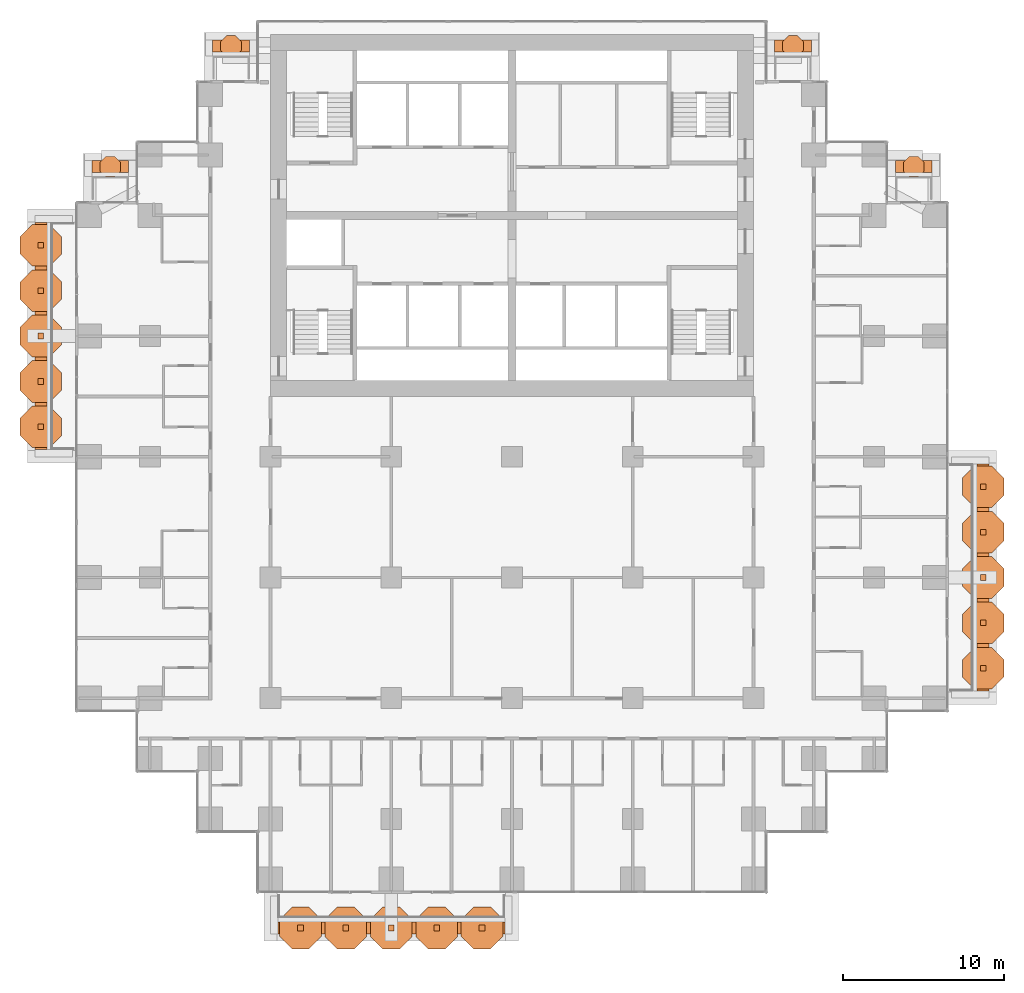
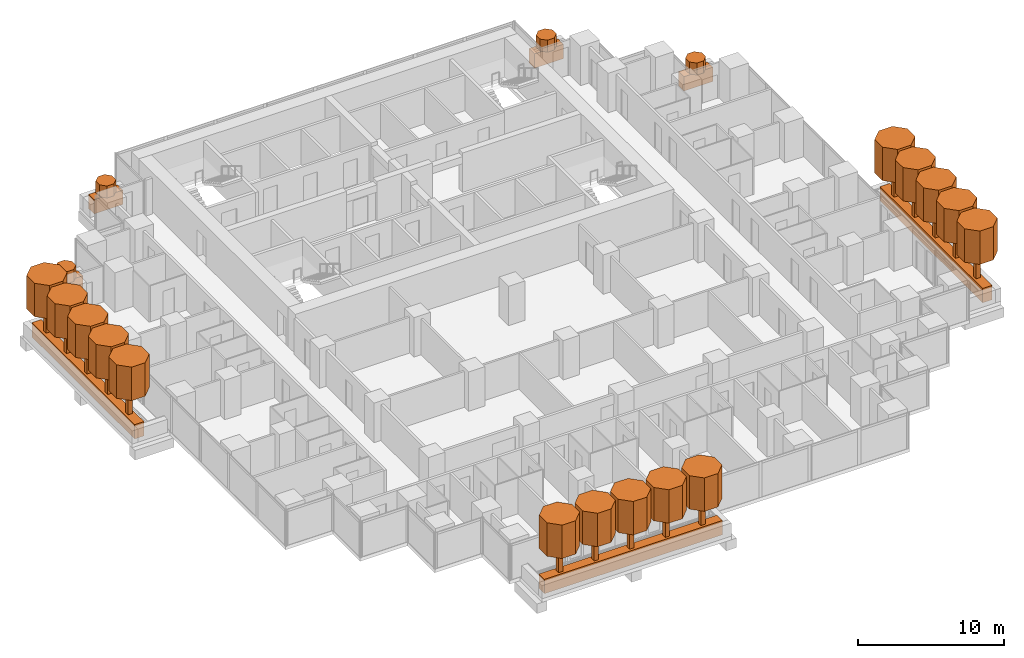
# One storey, part 19 of 19: 41 geographic elements.
"""IFC4 building model written with IfcOpenShell, lengths in metres."""

from ifc_helpers import new_model, si_unit, direction, frame, origin, origin_2d, place, context, subcontext, project, spatial, polyline, rectangle, outline, extrude, material, material_profile, profile_set, type_object, element, save


model = new_model("IFC4")

# Units and contexts
model_context = context("Model", 3, precision=1e-05, world=origin(), true_north=direction((0.0, 1.0)))
body_context = subcontext(model_context, "Body", "Model", "MODEL_VIEW")
ifc_project = project(units=[si_unit("LENGTHUNIT", "METRE"), si_unit("AREAUNIT", "SQUARE_METRE"), si_unit("VOLUMEUNIT", "CUBIC_METRE"), si_unit("PLANEANGLEUNIT", "RADIAN"), si_unit("MASSUNIT", "GRAM", prefix="KILO")], contexts=[model_context])

# Site, building, storey
site_placement = place(None, origin())
site = spatial("IfcSite", under=ifc_project, at=site_placement, CompositionType="ELEMENT")
building_placement = place(site_placement, origin())
building = spatial("IfcBuilding", under=site, at=building_placement, Name="Pilkhan Gate Tower", CompositionType="ELEMENT")
storey_placement = place(building_placement, frame((0.0, 0.0, 95.60009765625)))
storey = spatial("IfcBuildingStorey", under=building, at=storey_placement, Name="L23", CompositionType="ELEMENT", Elevation=95.60009765625)

# Geographic elements
ifc_material_1 = material(Name="Foliage")
ifc_material_profile_1 = material_profile(ifc_material_1, rectangle(XDim=0.75, YDim=1.199951171875, at=origin_2d()), Name="Bed 750x1200")
ifc_profile_set_1 = profile_set([ifc_material_profile_1], Name="Foliage")
geographic_element_type_1 = type_object("IfcGeographicElementType", Name="Planting bed PB1", PredefinedType="USERDEFINED", material=ifc_profile_set_1)
for number, where, z_axis, x_axis, name in (
    (1, (60.449951171875, 38.22509765625, 0.599853515625), (1.0, 0.0, 0.0), (0.0, 1.0, 0.0), "Balcony L23 S planting bed"),
    (2, (104.27490234375, 52.949951171875, 0.599853515625), (0.0, 1.0, 0.0), (-1.0, 0.0, 0.0), "Balcony L23 E planting bed"),
):
    element("IfcGeographicElement", number, at=place(storey_placement, frame(where, z_axis=z_axis, x_axis=x_axis)), inside=storey, type_object=geographic_element_type_1, Name=name, ObjectType="PLANTING BED", PredefinedType="USERDEFINED", context=body_context, shape_type="SweptSolid", body=[
        extrude(rectangle(XDim=0.75, YDim=1.199951171875, at=origin_2d()), origin(), (0.0, 0.0, 1.0), 14.10009765625),
    ])
for number, where, z_axis, x_axis, name in (
    (3, (56.39990234375, 93.02490234375, 0.599853515625), (1.0, 0.0, 0.0), (0.0, 1.0, 0.0), "Balcony L23 N planting bed"),
    (4, (91.300048828125, 93.02490234375, 0.599853515625), (1.0, 0.0, 0.0), (0.0, 1.0, 0.0), "Balcony L23 N planting bed"),
):
    element("IfcGeographicElement", number, at=place(storey_placement, frame(where, z_axis=z_axis, x_axis=x_axis)), inside=storey, type_object=geographic_element_type_1, Name=name, ObjectType="PLANTING BED", PredefinedType="USERDEFINED", context=body_context, shape_type="SweptSolid", body=[
        extrude(rectangle(XDim=0.75, YDim=1.199951171875, at=origin_2d()), origin(), (0.0, 0.0, 1.0), 2.300048828125),
    ])
for number, where, z_axis, x_axis, name in (
    (5, (48.89990234375, 85.52490234375, 0.599853515625), (1.0, 0.0, 0.0), (0.0, 1.0, 0.0), "Balcony L23 N planting bed"),
    (6, (98.820068359375, 85.52490234375, 0.599853515625), (1.0, 0.0, 0.0), (0.0, 1.0, 0.0), "Balcony L23 N planting bed"),
):
    element("IfcGeographicElement", number, at=place(storey_placement, frame(where, z_axis=z_axis, x_axis=x_axis)), inside=storey, type_object=geographic_element_type_1, Name=name, ObjectType="PLANTING BED", PredefinedType="USERDEFINED", context=body_context, shape_type="SweptSolid", body=[
        extrude(rectangle(XDim=0.75, YDim=1.199951171875, at=origin_2d()), origin(), (0.0, 0.0, 1.0), 2.280029296875),
    ])
geographic_element_placement = place(storey_placement, frame((45.72509765625, 67.949951171875, 0.599853515625), z_axis=(0.0, 1.0, 0.0), x_axis=(-1.0, 0.0, 0.0)))
element("IfcGeographicElement", 7, at=geographic_element_placement, inside=storey, type_object=geographic_element_type_1, Name="Balcony L23 W planting bed", ObjectType="PLANTING BED", PredefinedType="USERDEFINED", context=body_context, shape_type="SweptSolid", body=[
    extrude(rectangle(XDim=0.75, YDim=1.199951171875, at=origin_2d()), origin(), (0.0, 0.0, 1.0), 14.10009765625),
])
ifc_material_profile_2 = material_profile(ifc_material_1, outline(polyline([(0.646728515625, 0.267822265625), (0.267822265625, 0.646728515625), (-0.267822265625, 0.646728515625), (-0.646728515625, 0.267822265625), (-0.646728515625, -0.267822265625), (-0.267822265625, -0.646728515625), (0.267822265625, -0.646728515625), (0.646728515625, -0.267822265625), (0.646728515625, 0.267822265625)])), Name="Shrub D1.4")
ifc_profile_set_2 = profile_set([ifc_material_profile_2], Name="Foliage")
geographic_element_type_2 = type_object("IfcGeographicElementType", Name="Shrub SH07", PredefinedType="USERDEFINED", material=ifc_profile_set_2)
for number, where, z_axis, x_axis, name in (
    (8, (57.550048828125, 93.02490234375, 1.199951171875), (0.0, 0.0, 1.0), (1.0, 0.0, 0.0), "Shrub L23 N 1"),
    (9, (92.449951171875, 93.02490234375, 1.199951171875), (0.0, 0.0, 1.0), (1.0, 0.0, 0.0), "Shrub L23 N 1"),
    (10, (50.0400390625, 85.52490234375, 1.199951171875), (0.0, 0.0, 1.0), (1.0, 0.0, 0.0), "Shrub L23 N 1"),
    (11, (99.9599609375, 85.52490234375, 1.199951171875), (0.0, 0.0, 1.0), (1.0, 0.0, 0.0), "Shrub L23 N 1"),
):
    element("IfcGeographicElement", number, at=place(storey_placement, frame(where, z_axis=z_axis, x_axis=x_axis)), inside=storey, type_object=geographic_element_type_2, Name=name, ObjectType="SHRUB", PredefinedType="USERDEFINED", context=body_context, shape_type="SweptSolid", body=[
        extrude(outline(polyline([(0.646728515625, 0.267822265625), (0.267822265625, 0.646728515625), (-0.267822265625, 0.646728515625), (-0.646728515625, 0.267822265625), (-0.646728515625, -0.267822265625), (-0.267822265625, -0.646728515625), (0.267822265625, -0.646728515625), (0.646728515625, -0.267822265625), (0.646728515625, 0.267822265625)])), origin(), (0.0, 0.0, 1.0), 1.0),
    ])
ifc_material_profile_3 = material_profile(ifc_material_1, outline(polyline([(1.29345703125, 0.535888671875), (0.535888671875, 1.29345703125), (-0.535888671875, 1.29345703125), (-1.29345703125, 0.535888671875), (-1.29345703125, -0.535888671875), (-0.535888671875, -1.29345703125), (0.535888671875, -1.29345703125), (1.29345703125, -0.535888671875), (1.29345703125, 0.535888671875)])), Name="Canopy D2.8")
ifc_profile_set_3 = profile_set([ifc_material_profile_3], Name="Foliage")
geographic_element_type_3 = type_object("IfcGeographicElementType", Name="Tree canopy TC14", PredefinedType="USERDEFINED", material=ifc_profile_set_3)
for number, where, z_axis, x_axis, name in (
    (12, (61.860107421875, 38.22509765625, 3.199951171875), (0.0, 0.0, 1.0), (1.0, 0.0, 0.0), "Tree L23 S 1 canopy"),
    (13, (64.679931640625, 38.22509765625, 3.199951171875), (0.0, 0.0, 1.0), (1.0, 0.0, 0.0), "Tree L23 S 2 canopy"),
    (14, (67.5, 38.22509765625, 3.199951171875), (0.0, 0.0, 1.0), (1.0, 0.0, 0.0), "Tree L23 S 3 canopy"),
    (15, (70.320068359375, 38.22509765625, 3.199951171875), (0.0, 0.0, 1.0), (1.0, 0.0, 0.0), "Tree L23 S 4 canopy"),
    (16, (73.139892578125, 38.22509765625, 3.199951171875), (0.0, 0.0, 1.0), (1.0, 0.0, 0.0), "Tree L23 S 5 canopy"),
    (17, (104.27490234375, 54.360107421875, 3.199951171875), (0.0, 0.0, 1.0), (1.0, 0.0, 0.0), "Tree L23 E 1 canopy"),
    (18, (104.27490234375, 57.179931640625, 3.199951171875), (0.0, 0.0, 1.0), (1.0, 0.0, 0.0), "Tree L23 E 2 canopy"),
    (19, (104.27490234375, 60.0, 3.199951171875), (0.0, 0.0, 1.0), (1.0, 0.0, 0.0), "Tree L23 E 3 canopy"),
    (20, (104.27490234375, 62.820068359375, 3.199951171875), (0.0, 0.0, 1.0), (1.0, 0.0, 0.0), "Tree L23 E 4 canopy"),
    (21, (104.27490234375, 65.639892578125, 3.199951171875), (0.0, 0.0, 1.0), (1.0, 0.0, 0.0), "Tree L23 E 5 canopy"),
    (22, (45.72509765625, 69.360107421875, 3.199951171875), (0.0, 0.0, 1.0), (1.0, 0.0, 0.0), "Tree L23 W 1 canopy"),
    (23, (45.72509765625, 72.179931640625, 3.199951171875), (0.0, 0.0, 1.0), (1.0, 0.0, 0.0), "Tree L23 W 2 canopy"),
    (24, (45.72509765625, 75.0, 3.199951171875), (0.0, 0.0, 1.0), (1.0, 0.0, 0.0), "Tree L23 W 3 canopy"),
    (25, (45.72509765625, 77.820068359375, 3.199951171875), (0.0, 0.0, 1.0), (1.0, 0.0, 0.0), "Tree L23 W 4 canopy"),
    (26, (45.72509765625, 80.639892578125, 3.199951171875), (0.0, 0.0, 1.0), (1.0, 0.0, 0.0), "Tree L23 W 5 canopy"),
):
    element("IfcGeographicElement", number, at=place(storey_placement, frame(where, z_axis=z_axis, x_axis=x_axis)), inside=storey, type_object=geographic_element_type_3, Name=name, ObjectType="TREE", PredefinedType="USERDEFINED", context=body_context, shape_type="SweptSolid", body=[
        extrude(outline(polyline([(1.29345703125, 0.535888671875), (0.535888671875, 1.29345703125), (-0.535888671875, 1.29345703125), (-1.29345703125, 0.535888671875), (-1.29345703125, -0.535888671875), (-0.535888671875, -1.29345703125), (0.535888671875, -1.29345703125), (1.29345703125, -0.535888671875), (1.29345703125, 0.535888671875)])), origin(), (0.0, 0.0, 1.0), 2.800048828125),
    ])
ifc_material_2 = material(Name="Timber trunk", Category="wood")
geographic_element_type_4 = type_object("IfcGeographicElementType", Name="Tree trunk TT1", PredefinedType="USERDEFINED", material=ifc_material_2)
for number, where, z_axis, x_axis, name in (
    (27, (61.860107421875, 38.22509765625, 1.199951171875), (0.0, 0.0, 1.0), (1.0, 0.0, 0.0), "Tree L23 S 1 trunk"),
    (28, (64.679931640625, 38.22509765625, 1.199951171875), (0.0, 0.0, 1.0), (1.0, 0.0, 0.0), "Tree L23 S 2 trunk"),
    (29, (67.5, 38.22509765625, 1.199951171875), (0.0, 0.0, 1.0), (1.0, 0.0, 0.0), "Tree L23 S 3 trunk"),
    (30, (70.320068359375, 38.22509765625, 1.199951171875), (0.0, 0.0, 1.0), (1.0, 0.0, 0.0), "Tree L23 S 4 trunk"),
    (31, (73.139892578125, 38.22509765625, 1.199951171875), (0.0, 0.0, 1.0), (1.0, 0.0, 0.0), "Tree L23 S 5 trunk"),
    (32, (104.27490234375, 54.360107421875, 1.199951171875), (0.0, 0.0, 1.0), (1.0, 0.0, 0.0), "Tree L23 E 1 trunk"),
    (33, (104.27490234375, 57.179931640625, 1.199951171875), (0.0, 0.0, 1.0), (1.0, 0.0, 0.0), "Tree L23 E 2 trunk"),
    (34, (104.27490234375, 60.0, 1.199951171875), (0.0, 0.0, 1.0), (1.0, 0.0, 0.0), "Tree L23 E 3 trunk"),
    (35, (104.27490234375, 62.820068359375, 1.199951171875), (0.0, 0.0, 1.0), (1.0, 0.0, 0.0), "Tree L23 E 4 trunk"),
    (36, (104.27490234375, 65.639892578125, 1.199951171875), (0.0, 0.0, 1.0), (1.0, 0.0, 0.0), "Tree L23 E 5 trunk"),
    (37, (45.72509765625, 69.360107421875, 1.199951171875), (0.0, 0.0, 1.0), (1.0, 0.0, 0.0), "Tree L23 W 1 trunk"),
    (38, (45.72509765625, 72.179931640625, 1.199951171875), (0.0, 0.0, 1.0), (1.0, 0.0, 0.0), "Tree L23 W 2 trunk"),
    (39, (45.72509765625, 75.0, 1.199951171875), (0.0, 0.0, 1.0), (1.0, 0.0, 0.0), "Tree L23 W 3 trunk"),
    (40, (45.72509765625, 77.820068359375, 1.199951171875), (0.0, 0.0, 1.0), (1.0, 0.0, 0.0), "Tree L23 W 4 trunk"),
    (41, (45.72509765625, 80.639892578125, 1.199951171875), (0.0, 0.0, 1.0), (1.0, 0.0, 0.0), "Tree L23 W 5 trunk"),
):
    element("IfcGeographicElement", number, at=place(storey_placement, frame(where, z_axis=z_axis, x_axis=x_axis)), inside=storey, type_object=geographic_element_type_4, Name=name, ObjectType="TREE", PredefinedType="USERDEFINED", context=body_context, shape_type="SweptSolid", body=[
        extrude(rectangle(XDim=0.35009765625, YDim=0.35009765625, at=origin_2d()), origin(), (0.0, 0.0, 1.0), 2.0),
    ])

save(model, "model.ifc")
